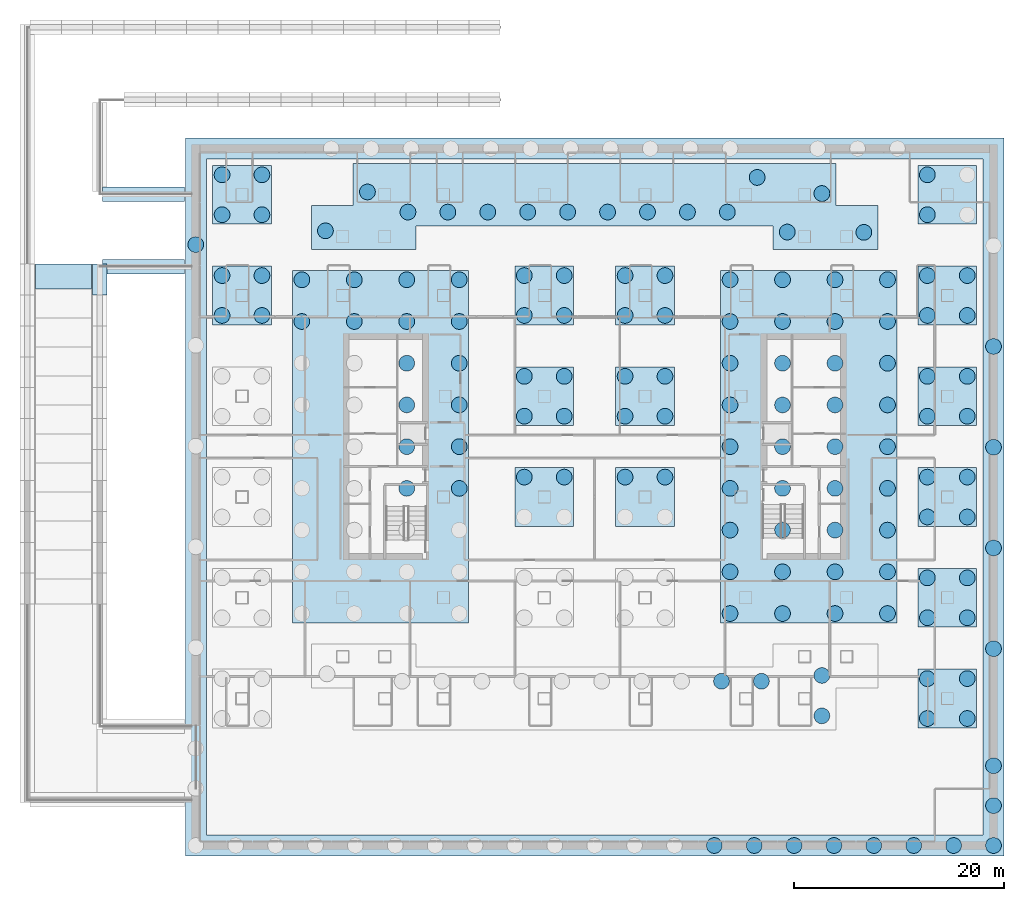
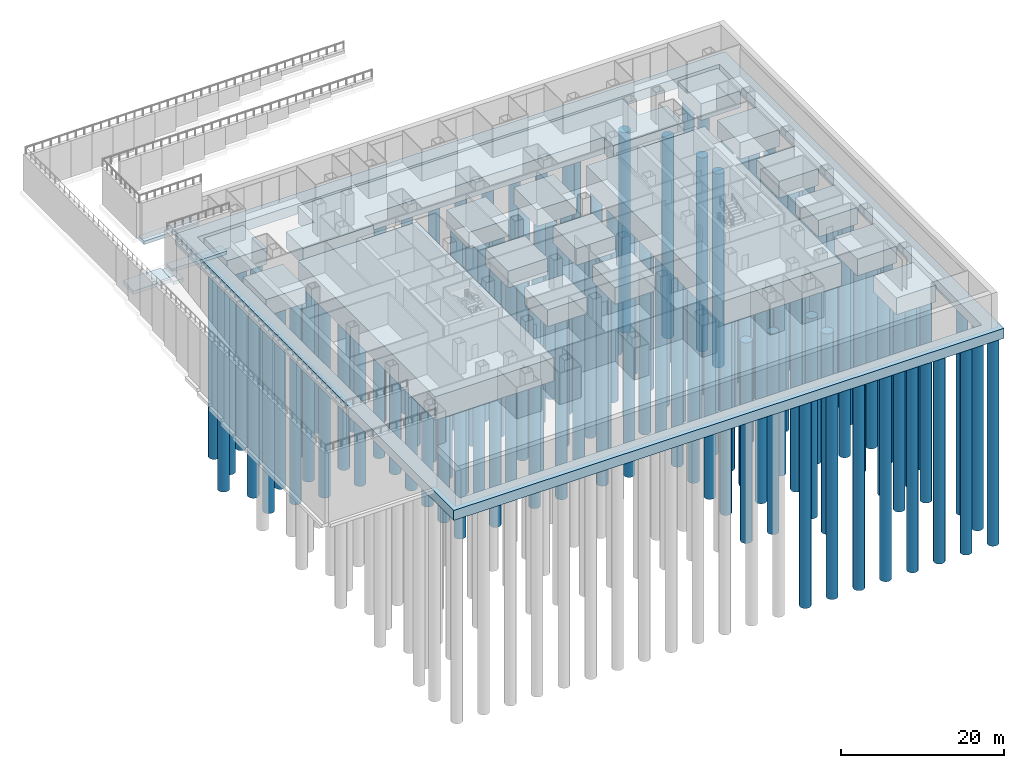
# One storey, part 2 of 17: 136 piles, 22 footings.
"""IFC4 building model written with IfcOpenShell, lengths in metres."""

from ifc_helpers import new_model, si_unit, direction, frame, origin, origin_2d, place, context, subcontext, project, spatial, polyline, circle, outline, extrude, material, material_profile, profile_set, type_object, element, save


model = new_model("IFC4")

# Units and contexts
model_context = context("Model", 3, precision=1e-05, world=origin(), true_north=direction((0.0, 1.0)))
body_context = subcontext(model_context, "Body", "Model", "MODEL_VIEW")
ifc_project = project(units=[si_unit("LENGTHUNIT", "METRE"), si_unit("AREAUNIT", "SQUARE_METRE"), si_unit("VOLUMEUNIT", "CUBIC_METRE"), si_unit("PLANEANGLEUNIT", "RADIAN"), si_unit("MASSUNIT", "GRAM", prefix="KILO")], contexts=[model_context])

# Site, building, storey
site_placement = place(None, origin())
site = spatial("IfcSite", under=ifc_project, at=site_placement, CompositionType="ELEMENT")
building_placement = place(site_placement, origin())
building = spatial("IfcBuilding", under=site, at=building_placement, Name="Cobrizo Arcos Hotel Tower", CompositionType="ELEMENT")
storey_placement = place(building_placement, frame((0.0, 0.0, -10.0)))
storey = spatial("IfcBuildingStorey", under=building, at=storey_placement, Name="B2", CompositionType="ELEMENT", Elevation=-10.0)

# Footing
ifc_material = material(Name="Concrete f'c 40 MPa", Category="concrete")
footing_type_1 = type_object("IfcFootingType", Name="Basement wall strip footing 2000 wide", PredefinedType="STRIP_FOOTING", material=ifc_material)
footing_1_placement = place(storey_placement, frame((0.0, 0.0, -2.10009765625)))
element("IfcFooting", 1, at=footing_1_placement, inside=storey, type_object=footing_type_1, Name="Basement wall strip footing WF1", PredefinedType="STRIP_FOOTING", context=body_context, shape_type="SweptSolid", body=[
    extrude(outline(polyline([(-39.0, -39.0), (-39.0, 29.39990234375), (39.0, 29.39990234375), (39.0, -39.0), (-39.0, -39.0)]), holes=[polyline([(37.0, 27.39990234375), (-37.0, 27.39990234375), (-37.0, -37.0), (37.0, -37.0), (37.0, 27.39990234375)])]), origin(), (0.0, 0.0, 1.0), 1.5),
])

# Piles
ifc_material_profile = material_profile(ifc_material, circle(Radius=0.75, at=origin_2d()), Name="BORED PILE 1500")
ifc_profile_set = profile_set([ifc_material_profile], Name="Concrete f'c 40 MPa")
pile_type = type_object("IfcPileType", Name="Bored pile 1500", PredefinedType="BORED", material=ifc_profile_set)
for number, where, z_axis, x_axis, name in (
    (2, (-27.89990234375, 11.925048828125, -3.949951171875), (0.0, 0.0, -1.0), (1.0, 0.0, 0.0), "Bored pile PL1, west core raft, row 00, no. 07"),
    (3, (-27.89990234375, 15.89990234375, -3.949951171875), (0.0, 0.0, -1.0), (1.0, 0.0, 0.0), "Bored pile PL1, west core raft, row 00, no. 08"),
    (4, (-22.89990234375, 11.925048828125, -3.949951171875), (0.0, 0.0, -1.0), (1.0, 0.0, 0.0), "Bored pile PL1, west core raft, row 01, no. 07"),
    (5, (-22.89990234375, 15.89990234375, -3.949951171875), (0.0, 0.0, -1.0), (1.0, 0.0, 0.0), "Bored pile PL1, west core raft, row 01, no. 08"),
    (6, (-17.89990234375, -3.97509765625, -3.949951171875), (0.0, 0.0, -1.0), (1.0, 0.0, 0.0), "Bored pile PL1, west core raft, row 02, no. 03"),
    (7, (-17.89990234375, 0.0, -3.949951171875), (0.0, 0.0, -1.0), (1.0, 0.0, 0.0), "Bored pile PL1, west core raft, row 02, no. 04"),
    (8, (-17.89990234375, 3.97509765625, -3.949951171875), (0.0, 0.0, -1.0), (1.0, 0.0, 0.0), "Bored pile PL1, west core raft, row 02, no. 05"),
    (9, (-17.89990234375, 7.949951171875, -3.949951171875), (0.0, 0.0, -1.0), (1.0, 0.0, 0.0), "Bored pile PL1, west core raft, row 02, no. 06"),
    (10, (-17.89990234375, 11.925048828125, -3.949951171875), (0.0, 0.0, -1.0), (1.0, 0.0, 0.0), "Bored pile PL1, west core raft, row 02, no. 07"),
    (11, (-17.89990234375, 15.89990234375, -3.949951171875), (0.0, 0.0, -1.0), (1.0, 0.0, 0.0), "Bored pile PL1, west core raft, row 02, no. 08"),
    (12, (-12.89990234375, -3.97509765625, -3.949951171875), (0.0, 0.0, -1.0), (1.0, 0.0, 0.0), "Bored pile PL1, west core raft, row 03, no. 03"),
    (13, (-12.89990234375, 0.0, -3.949951171875), (0.0, 0.0, -1.0), (1.0, 0.0, 0.0), "Bored pile PL1, west core raft, row 03, no. 04"),
    (14, (-12.89990234375, 3.97509765625, -3.949951171875), (0.0, 0.0, -1.0), (1.0, 0.0, 0.0), "Bored pile PL1, west core raft, row 03, no. 05"),
    (15, (-12.89990234375, 7.949951171875, -3.949951171875), (0.0, 0.0, -1.0), (1.0, 0.0, 0.0), "Bored pile PL1, west core raft, row 03, no. 06"),
    (16, (-12.89990234375, 11.925048828125, -3.949951171875), (0.0, 0.0, -1.0), (1.0, 0.0, 0.0), "Bored pile PL1, west core raft, row 03, no. 07"),
    (17, (-12.89990234375, 15.89990234375, -3.949951171875), (0.0, 0.0, -1.0), (1.0, 0.0, 0.0), "Bored pile PL1, west core raft, row 03, no. 08"),
    (18, (12.89990234375, -15.89990234375, -3.949951171875), (0.0, 0.0, -1.0), (1.0, 0.0, 0.0), "Bored pile PL1, east core raft, row 00, no. 00"),
    (19, (12.89990234375, -11.925048828125, -3.949951171875), (0.0, 0.0, -1.0), (1.0, 0.0, 0.0), "Bored pile PL1, east core raft, row 00, no. 01"),
    (20, (12.89990234375, -7.949951171875, -3.949951171875), (0.0, 0.0, -1.0), (1.0, 0.0, 0.0), "Bored pile PL1, east core raft, row 00, no. 02"),
    (21, (12.89990234375, -3.97509765625, -3.949951171875), (0.0, 0.0, -1.0), (1.0, 0.0, 0.0), "Bored pile PL1, east core raft, row 00, no. 03"),
    (22, (12.89990234375, 0.0, -3.949951171875), (0.0, 0.0, -1.0), (1.0, 0.0, 0.0), "Bored pile PL1, east core raft, row 00, no. 04"),
    (23, (12.89990234375, 3.97509765625, -3.949951171875), (0.0, 0.0, -1.0), (1.0, 0.0, 0.0), "Bored pile PL1, east core raft, row 00, no. 05"),
    (24, (12.89990234375, 7.949951171875, -3.949951171875), (0.0, 0.0, -1.0), (1.0, 0.0, 0.0), "Bored pile PL1, east core raft, row 00, no. 06"),
    (25, (12.89990234375, 11.925048828125, -3.949951171875), (0.0, 0.0, -1.0), (1.0, 0.0, 0.0), "Bored pile PL1, east core raft, row 00, no. 07"),
    (26, (12.89990234375, 15.89990234375, -3.949951171875), (0.0, 0.0, -1.0), (1.0, 0.0, 0.0), "Bored pile PL1, east core raft, row 00, no. 08"),
    (27, (17.89990234375, -15.89990234375, -3.949951171875), (0.0, 0.0, -1.0), (1.0, 0.0, 0.0), "Bored pile PL1, east core raft, row 01, no. 00"),
    (28, (17.89990234375, -11.925048828125, -3.949951171875), (0.0, 0.0, -1.0), (1.0, 0.0, 0.0), "Bored pile PL1, east core raft, row 01, no. 01"),
    (29, (17.89990234375, -7.949951171875, -3.949951171875), (0.0, 0.0, -1.0), (1.0, 0.0, 0.0), "Bored pile PL1, east core raft, row 01, no. 02"),
    (30, (17.89990234375, -3.97509765625, -3.949951171875), (0.0, 0.0, -1.0), (1.0, 0.0, 0.0), "Bored pile PL1, east core raft, row 01, no. 03"),
    (31, (17.89990234375, 0.0, -3.949951171875), (0.0, 0.0, -1.0), (1.0, 0.0, 0.0), "Bored pile PL1, east core raft, row 01, no. 04"),
    (32, (17.89990234375, 3.97509765625, -3.949951171875), (0.0, 0.0, -1.0), (1.0, 0.0, 0.0), "Bored pile PL1, east core raft, row 01, no. 05"),
    (33, (17.89990234375, 7.949951171875, -3.949951171875), (0.0, 0.0, -1.0), (1.0, 0.0, 0.0), "Bored pile PL1, east core raft, row 01, no. 06"),
    (34, (17.89990234375, 11.925048828125, -3.949951171875), (0.0, 0.0, -1.0), (1.0, 0.0, 0.0), "Bored pile PL1, east core raft, row 01, no. 07"),
    (35, (17.89990234375, 15.89990234375, -3.949951171875), (0.0, 0.0, -1.0), (1.0, 0.0, 0.0), "Bored pile PL1, east core raft, row 01, no. 08"),
    (36, (22.89990234375, -15.89990234375, -3.949951171875), (0.0, 0.0, -1.0), (1.0, 0.0, 0.0), "Bored pile PL1, east core raft, row 02, no. 00"),
    (37, (22.89990234375, -11.925048828125, -3.949951171875), (0.0, 0.0, -1.0), (1.0, 0.0, 0.0), "Bored pile PL1, east core raft, row 02, no. 01"),
    (38, (22.89990234375, -7.949951171875, -3.949951171875), (0.0, 0.0, -1.0), (1.0, 0.0, 0.0), "Bored pile PL1, east core raft, row 02, no. 02"),
    (39, (22.89990234375, -3.97509765625, -3.949951171875), (0.0, 0.0, -1.0), (1.0, 0.0, 0.0), "Bored pile PL1, east core raft, row 02, no. 03"),
    (40, (22.89990234375, 0.0, -3.949951171875), (0.0, 0.0, -1.0), (1.0, 0.0, 0.0), "Bored pile PL1, east core raft, row 02, no. 04"),
    (41, (22.89990234375, 3.97509765625, -3.949951171875), (0.0, 0.0, -1.0), (1.0, 0.0, 0.0), "Bored pile PL1, east core raft, row 02, no. 05"),
    (42, (22.89990234375, 7.949951171875, -3.949951171875), (0.0, 0.0, -1.0), (1.0, 0.0, 0.0), "Bored pile PL1, east core raft, row 02, no. 06"),
    (43, (22.89990234375, 11.925048828125, -3.949951171875), (0.0, 0.0, -1.0), (1.0, 0.0, 0.0), "Bored pile PL1, east core raft, row 02, no. 07"),
    (44, (22.89990234375, 15.89990234375, -3.949951171875), (0.0, 0.0, -1.0), (1.0, 0.0, 0.0), "Bored pile PL1, east core raft, row 02, no. 08"),
    (45, (27.89990234375, -15.89990234375, -3.949951171875), (0.0, 0.0, -1.0), (1.0, 0.0, 0.0), "Bored pile PL1, east core raft, row 03, no. 00"),
    (46, (27.89990234375, -11.925048828125, -3.949951171875), (0.0, 0.0, -1.0), (1.0, 0.0, 0.0), "Bored pile PL1, east core raft, row 03, no. 01"),
    (47, (27.89990234375, -7.949951171875, -3.949951171875), (0.0, 0.0, -1.0), (1.0, 0.0, 0.0), "Bored pile PL1, east core raft, row 03, no. 02"),
    (48, (27.89990234375, -3.97509765625, -3.949951171875), (0.0, 0.0, -1.0), (1.0, 0.0, 0.0), "Bored pile PL1, east core raft, row 03, no. 03"),
    (49, (27.89990234375, 0.0, -3.949951171875), (0.0, 0.0, -1.0), (1.0, 0.0, 0.0), "Bored pile PL1, east core raft, row 03, no. 04"),
    (50, (27.89990234375, 3.97509765625, -3.949951171875), (0.0, 0.0, -1.0), (1.0, 0.0, 0.0), "Bored pile PL1, east core raft, row 03, no. 05"),
    (51, (27.89990234375, 7.949951171875, -3.949951171875), (0.0, 0.0, -1.0), (1.0, 0.0, 0.0), "Bored pile PL1, east core raft, row 03, no. 06"),
    (52, (27.89990234375, 11.925048828125, -3.949951171875), (0.0, 0.0, -1.0), (1.0, 0.0, 0.0), "Bored pile PL1, east core raft, row 03, no. 07"),
    (53, (27.89990234375, 15.89990234375, -3.949951171875), (0.0, 0.0, -1.0), (1.0, 0.0, 0.0), "Bored pile PL1, east core raft, row 03, no. 08"),
):
    element("IfcPile", number, at=place(storey_placement, frame(where, z_axis=z_axis, x_axis=x_axis)), inside=storey, type_object=pile_type, Name=name, PredefinedType="BORED", context=body_context, shape_type="SweptSolid", body=[
        extrude(circle(Radius=0.75, at=origin_2d()), origin(), (0.0, 0.0, 1.0), 29.050048828125),
    ])
for number, where, z_axis, x_axis, name in (
    (54, (-35.5, 12.5, -2.949951171875), (0.0, 0.0, -1.0), (1.0, 0.0, 0.0), "Bored pile PL1, pile cap 05, no. 0"),
    (55, (-31.699951171875, 12.5, -2.949951171875), (0.0, 0.0, -1.0), (1.0, 0.0, 0.0), "Bored pile PL1, pile cap 05, no. 1"),
    (56, (-35.5, 16.300048828125, -2.949951171875), (0.0, 0.0, -1.0), (1.0, 0.0, 0.0), "Bored pile PL1, pile cap 05, no. 2"),
    (57, (-31.699951171875, 16.300048828125, -2.949951171875), (0.0, 0.0, -1.0), (1.0, 0.0, 0.0), "Bored pile PL1, pile cap 05, no. 3"),
    (58, (-35.5, 22.10009765625, -2.949951171875), (0.0, 0.0, -1.0), (1.0, 0.0, 0.0), "Bored pile PL1, pile cap 06, no. 0"),
    (59, (-31.699951171875, 22.10009765625, -2.949951171875), (0.0, 0.0, -1.0), (1.0, 0.0, 0.0), "Bored pile PL1, pile cap 06, no. 1"),
    (60, (-35.5, 25.89990234375, -2.949951171875), (0.0, 0.0, -1.0), (1.0, 0.0, 0.0), "Bored pile PL1, pile cap 06, no. 2"),
    (61, (-31.699951171875, 25.89990234375, -2.949951171875), (0.0, 0.0, -1.0), (1.0, 0.0, 0.0), "Bored pile PL1, pile cap 06, no. 3"),
    (62, (-6.699951171875, -2.89990234375, -2.949951171875), (0.0, 0.0, -1.0), (1.0, 0.0, 0.0), "Bored pile PL1, pile cap 08, no. 2"),
    (63, (-2.89990234375, -2.89990234375, -2.949951171875), (0.0, 0.0, -1.0), (1.0, 0.0, 0.0), "Bored pile PL1, pile cap 08, no. 3"),
    (64, (-6.699951171875, 2.89990234375, -2.949951171875), (0.0, 0.0, -1.0), (1.0, 0.0, 0.0), "Bored pile PL1, pile cap 09, no. 0"),
    (65, (-2.89990234375, 2.89990234375, -2.949951171875), (0.0, 0.0, -1.0), (1.0, 0.0, 0.0), "Bored pile PL1, pile cap 09, no. 1"),
    (66, (-6.699951171875, 6.699951171875, -2.949951171875), (0.0, 0.0, -1.0), (1.0, 0.0, 0.0), "Bored pile PL1, pile cap 09, no. 2"),
    (67, (-2.89990234375, 6.699951171875, -2.949951171875), (0.0, 0.0, -1.0), (1.0, 0.0, 0.0), "Bored pile PL1, pile cap 09, no. 3"),
    (68, (-6.699951171875, 12.5, -2.949951171875), (0.0, 0.0, -1.0), (1.0, 0.0, 0.0), "Bored pile PL1, pile cap 10, no. 0"),
    (69, (-2.89990234375, 12.5, -2.949951171875), (0.0, 0.0, -1.0), (1.0, 0.0, 0.0), "Bored pile PL1, pile cap 10, no. 1"),
    (70, (-6.699951171875, 16.300048828125, -2.949951171875), (0.0, 0.0, -1.0), (1.0, 0.0, 0.0), "Bored pile PL1, pile cap 10, no. 2"),
    (71, (-2.89990234375, 16.300048828125, -2.949951171875), (0.0, 0.0, -1.0), (1.0, 0.0, 0.0), "Bored pile PL1, pile cap 10, no. 3"),
    (72, (2.89990234375, -2.89990234375, -2.949951171875), (0.0, 0.0, -1.0), (1.0, 0.0, 0.0), "Bored pile PL1, pile cap 12, no. 2"),
    (73, (6.699951171875, -2.89990234375, -2.949951171875), (0.0, 0.0, -1.0), (1.0, 0.0, 0.0), "Bored pile PL1, pile cap 12, no. 3"),
    (74, (2.89990234375, 2.89990234375, -2.949951171875), (0.0, 0.0, -1.0), (1.0, 0.0, 0.0), "Bored pile PL1, pile cap 13, no. 0"),
    (75, (6.699951171875, 2.89990234375, -2.949951171875), (0.0, 0.0, -1.0), (1.0, 0.0, 0.0), "Bored pile PL1, pile cap 13, no. 1"),
    (76, (2.89990234375, 6.699951171875, -2.949951171875), (0.0, 0.0, -1.0), (1.0, 0.0, 0.0), "Bored pile PL1, pile cap 13, no. 2"),
    (77, (6.699951171875, 6.699951171875, -2.949951171875), (0.0, 0.0, -1.0), (1.0, 0.0, 0.0), "Bored pile PL1, pile cap 13, no. 3"),
    (78, (2.89990234375, 12.5, -2.949951171875), (0.0, 0.0, -1.0), (1.0, 0.0, 0.0), "Bored pile PL1, pile cap 14, no. 0"),
    (79, (6.699951171875, 12.5, -2.949951171875), (0.0, 0.0, -1.0), (1.0, 0.0, 0.0), "Bored pile PL1, pile cap 14, no. 1"),
    (80, (2.89990234375, 16.300048828125, -2.949951171875), (0.0, 0.0, -1.0), (1.0, 0.0, 0.0), "Bored pile PL1, pile cap 14, no. 2"),
    (81, (6.699951171875, 16.300048828125, -2.949951171875), (0.0, 0.0, -1.0), (1.0, 0.0, 0.0), "Bored pile PL1, pile cap 14, no. 3"),
    (82, (31.699951171875, -25.89990234375, -2.949951171875), (0.0, 0.0, -1.0), (1.0, 0.0, 0.0), "Bored pile PL1, pile cap 15, no. 0"),
    (83, (35.5, -25.89990234375, -2.949951171875), (0.0, 0.0, -1.0), (1.0, 0.0, 0.0), "Bored pile PL1, pile cap 15, no. 1"),
    (84, (31.699951171875, -22.10009765625, -2.949951171875), (0.0, 0.0, -1.0), (1.0, 0.0, 0.0), "Bored pile PL1, pile cap 15, no. 2"),
    (85, (35.5, -22.10009765625, -2.949951171875), (0.0, 0.0, -1.0), (1.0, 0.0, 0.0), "Bored pile PL1, pile cap 15, no. 3"),
    (86, (31.699951171875, -16.300048828125, -2.949951171875), (0.0, 0.0, -1.0), (1.0, 0.0, 0.0), "Bored pile PL1, pile cap 16, no. 0"),
    (87, (35.5, -16.300048828125, -2.949951171875), (0.0, 0.0, -1.0), (1.0, 0.0, 0.0), "Bored pile PL1, pile cap 16, no. 1"),
    (88, (31.699951171875, -12.5, -2.949951171875), (0.0, 0.0, -1.0), (1.0, 0.0, 0.0), "Bored pile PL1, pile cap 16, no. 2"),
    (89, (35.5, -12.5, -2.949951171875), (0.0, 0.0, -1.0), (1.0, 0.0, 0.0), "Bored pile PL1, pile cap 16, no. 3"),
    (90, (31.699951171875, -6.699951171875, -2.949951171875), (0.0, 0.0, -1.0), (1.0, 0.0, 0.0), "Bored pile PL1, pile cap 17, no. 0"),
    (91, (35.5, -6.699951171875, -2.949951171875), (0.0, 0.0, -1.0), (1.0, 0.0, 0.0), "Bored pile PL1, pile cap 17, no. 1"),
    (92, (31.699951171875, -2.89990234375, -2.949951171875), (0.0, 0.0, -1.0), (1.0, 0.0, 0.0), "Bored pile PL1, pile cap 17, no. 2"),
    (93, (35.5, -2.89990234375, -2.949951171875), (0.0, 0.0, -1.0), (1.0, 0.0, 0.0), "Bored pile PL1, pile cap 17, no. 3"),
    (94, (31.699951171875, 2.89990234375, -2.949951171875), (0.0, 0.0, -1.0), (1.0, 0.0, 0.0), "Bored pile PL1, pile cap 18, no. 0"),
    (95, (35.5, 2.89990234375, -2.949951171875), (0.0, 0.0, -1.0), (1.0, 0.0, 0.0), "Bored pile PL1, pile cap 18, no. 1"),
    (96, (31.699951171875, 6.699951171875, -2.949951171875), (0.0, 0.0, -1.0), (1.0, 0.0, 0.0), "Bored pile PL1, pile cap 18, no. 2"),
    (97, (35.5, 6.699951171875, -2.949951171875), (0.0, 0.0, -1.0), (1.0, 0.0, 0.0), "Bored pile PL1, pile cap 18, no. 3"),
    (98, (31.699951171875, 12.5, -2.949951171875), (0.0, 0.0, -1.0), (1.0, 0.0, 0.0), "Bored pile PL1, pile cap 19, no. 0"),
    (99, (35.5, 12.5, -2.949951171875), (0.0, 0.0, -1.0), (1.0, 0.0, 0.0), "Bored pile PL1, pile cap 19, no. 1"),
    (100, (31.699951171875, 16.300048828125, -2.949951171875), (0.0, 0.0, -1.0), (1.0, 0.0, 0.0), "Bored pile PL1, pile cap 19, no. 2"),
    (101, (35.5, 16.300048828125, -2.949951171875), (0.0, 0.0, -1.0), (1.0, 0.0, 0.0), "Bored pile PL1, pile cap 19, no. 3"),
    (102, (31.699951171875, 22.10009765625, -2.949951171875), (0.0, 0.0, -1.0), (1.0, 0.0, 0.0), "Bored pile PL1, pile cap 20, no. 0"),
    (103, (31.699951171875, 25.89990234375, -2.949951171875), (0.0, 0.0, -1.0), (1.0, 0.0, 0.0), "Bored pile PL1, pile cap 20, no. 2"),
    (104, (21.64990234375, -25.64990234375, -2.949951171875), (0.0, 0.0, -1.0), (1.0, 0.0, 0.0), "Bored pile PL1, strip footing 01, no. 000"),
    (105, (12.083984375, -22.35009765625, -2.949951171875), (0.0, 0.0, -1.0), (1.0, 0.0, 0.0), "Bored pile PL1, strip footing 01, no. 009"),
    (106, (15.88818359375, -22.35009765625, -2.949951171875), (0.0, 0.0, -1.0), (1.0, 0.0, 0.0), "Bored pile PL1, strip footing 01, no. 010"),
    (107, (21.64990234375, -21.798828125, -2.949951171875), (0.0, 0.0, -1.0), (1.0, 0.0, 0.0), "Bored pile PL1, strip footing 01, no. 011"),
    (108, (25.64990234375, 20.416015625, -2.949951171875), (0.0, 0.0, -1.0), (1.0, 0.0, 0.0), "Bored pile PL1, strip footing 02, no. 000"),
    (109, (18.35009765625, 20.447998046875, -2.949951171875), (0.0, 0.0, -1.0), (1.0, 0.0, 0.0), "Bored pile PL1, strip footing 02, no. 001"),
    (110, (-25.64990234375, 20.564697265625, -2.949951171875), (0.0, 0.0, -1.0), (1.0, 0.0, 0.0), "Bored pile PL1, strip footing 02, no. 002"),
    (111, (-17.790283203125, 22.35009765625, -2.949951171875), (0.0, 0.0, -1.0), (1.0, 0.0, 0.0), "Bored pile PL1, strip footing 02, no. 003"),
    (112, (-13.986083984375, 22.35009765625, -2.949951171875), (0.0, 0.0, -1.0), (1.0, 0.0, 0.0), "Bored pile PL1, strip footing 02, no. 004"),
    (113, (-10.181884765625, 22.35009765625, -2.949951171875), (0.0, 0.0, -1.0), (1.0, 0.0, 0.0), "Bored pile PL1, strip footing 02, no. 005"),
    (114, (-6.377685546875, 22.35009765625, -2.949951171875), (0.0, 0.0, -1.0), (1.0, 0.0, 0.0), "Bored pile PL1, strip footing 02, no. 006"),
    (115, (-2.573486328125, 22.35009765625, -2.949951171875), (0.0, 0.0, -1.0), (1.0, 0.0, 0.0), "Bored pile PL1, strip footing 02, no. 007"),
    (116, (1.23095703125, 22.35009765625, -2.949951171875), (0.0, 0.0, -1.0), (1.0, 0.0, 0.0), "Bored pile PL1, strip footing 02, no. 008"),
    (117, (5.03515625, 22.35009765625, -2.949951171875), (0.0, 0.0, -1.0), (1.0, 0.0, 0.0), "Bored pile PL1, strip footing 02, no. 009"),
    (118, (8.83935546875, 22.35009765625, -2.949951171875), (0.0, 0.0, -1.0), (1.0, 0.0, 0.0), "Bored pile PL1, strip footing 02, no. 010"),
    (119, (12.6435546875, 22.35009765625, -2.949951171875), (0.0, 0.0, -1.0), (1.0, 0.0, 0.0), "Bored pile PL1, strip footing 02, no. 011"),
    (120, (21.64990234375, 24.118408203125, -2.949951171875), (0.0, 0.0, -1.0), (1.0, 0.0, 0.0), "Bored pile PL1, strip footing 02, no. 012"),
    (121, (-21.64990234375, 24.26708984375, -2.949951171875), (0.0, 0.0, -1.0), (1.0, 0.0, 0.0), "Bored pile PL1, strip footing 02, no. 013"),
    (122, (15.479248046875, 25.64990234375, -2.949951171875), (0.0, 0.0, -1.0), (1.0, 0.0, 0.0), "Bored pile PL1, strip footing 02, no. 014"),
):
    element("IfcPile", number, at=place(storey_placement, frame(where, z_axis=z_axis, x_axis=x_axis)), inside=storey, type_object=pile_type, Name=name, PredefinedType="BORED", context=body_context, shape_type="SweptSolid", body=[
        extrude(circle(Radius=0.75, at=origin_2d()), origin(), (0.0, 0.0, 1.0), 30.050048828125),
    ])
for number, where, z_axis, x_axis, name in (
    (123, (11.39990234375, -38.0, -1.949951171875), (0.0, 0.0, -1.0), (1.0, 0.0, 0.0), "Bored pile PL1, basement wall strip, no. 013"),
    (124, (15.199951171875, -38.0, -1.949951171875), (0.0, 0.0, -1.0), (1.0, 0.0, 0.0), "Bored pile PL1, basement wall strip, no. 014"),
    (125, (19.0, -38.0, -1.949951171875), (0.0, 0.0, -1.0), (1.0, 0.0, 0.0), "Bored pile PL1, basement wall strip, no. 015"),
    (126, (22.800048828125, -38.0, -1.949951171875), (0.0, 0.0, -1.0), (1.0, 0.0, 0.0), "Bored pile PL1, basement wall strip, no. 016"),
    (127, (26.60009765625, -38.0, -1.949951171875), (0.0, 0.0, -1.0), (1.0, 0.0, 0.0), "Bored pile PL1, basement wall strip, no. 017"),
    (128, (30.39990234375, -38.0, -1.949951171875), (0.0, 0.0, -1.0), (1.0, 0.0, 0.0), "Bored pile PL1, basement wall strip, no. 018"),
    (129, (34.199951171875, -38.0, -1.949951171875), (0.0, 0.0, -1.0), (1.0, 0.0, 0.0), "Bored pile PL1, basement wall strip, no. 019"),
    (130, (38.0, -38.0, -1.949951171875), (0.0, 0.0, -1.0), (1.0, 0.0, 0.0), "Bored pile PL1, basement wall strip, no. 020"),
    (131, (38.0, -34.199951171875, -1.949951171875), (0.0, 0.0, -1.0), (1.0, 0.0, 0.0), "Bored pile PL1, basement wall strip, no. 021"),
    (132, (38.0, -30.39990234375, -1.949951171875), (0.0, 0.0, -1.0), (1.0, 0.0, 0.0), "Bored pile PL1, basement wall strip, no. 022"),
    (133, (38.0, -19.25, -1.949951171875), (0.0, 0.0, -1.0), (1.0, 0.0, 0.0), "Bored pile PL1, basement wall strip, no. 023"),
    (134, (38.0, -9.64990234375, -1.949951171875), (0.0, 0.0, -1.0), (1.0, 0.0, 0.0), "Bored pile PL1, basement wall strip, no. 024"),
    (135, (38.0, -0.050048828125, -1.949951171875), (0.0, 0.0, -1.0), (1.0, 0.0, 0.0), "Bored pile PL1, basement wall strip, no. 025"),
    (136, (38.0, 9.550048828125, -1.949951171875), (0.0, 0.0, -1.0), (1.0, 0.0, 0.0), "Bored pile PL1, basement wall strip, no. 026"),
    (137, (-38.0, 19.25, -1.949951171875), (0.0, 0.0, -1.0), (1.0, 0.0, 0.0), "Bored pile PL1, basement wall strip, no. 042"),
):
    element("IfcPile", number, at=place(storey_placement, frame(where, z_axis=z_axis, x_axis=x_axis)), inside=storey, type_object=pile_type, Name=name, PredefinedType="BORED", context=body_context, shape_type="SweptSolid", body=[
        extrude(circle(Radius=0.75, at=origin_2d()), origin(), (0.0, 0.0, 1.0), 31.050048828125),
    ])

# Footings
footing_type_2 = type_object("IfcFootingType", Name="Core raft 3500 deep", PredefinedType="USERDEFINED", material=ifc_material)
footing_2_placement = place(storey_placement, frame((0.0, 0.0, -4.10009765625)))
element("IfcFooting", 138, at=footing_2_placement, inside=storey, type_object=footing_type_2, Name="Core raft RF-W, west core", ObjectType="CORE RAFT", PredefinedType="USERDEFINED", context=body_context, shape_type="SweptSolid", body=[
    extrude(outline(polyline([(-12.0, -16.800048828125), (-12.0, 16.800048828125), (-28.800048828125, 16.800048828125), (-28.800048828125, -16.800048828125), (-12.0, -16.800048828125)])), origin(), (0.0, 0.0, 1.0), 3.5),
])
footing_3_placement = place(storey_placement, frame((0.0, 0.0, -4.10009765625)))
element("IfcFooting", 139, at=footing_3_placement, inside=storey, type_object=footing_type_2, Name="Core raft RF-E, east core", ObjectType="CORE RAFT", PredefinedType="USERDEFINED", context=body_context, shape_type="SweptSolid", body=[
    extrude(outline(polyline([(28.800048828125, -16.800048828125), (28.800048828125, 16.800048828125), (12.0, 16.800048828125), (12.0, -16.800048828125), (28.800048828125, -16.800048828125)])), origin(), (0.0, 0.0, 1.0), 3.5),
])
footing_type_3 = type_object("IfcFootingType", Name="Pile cap 4 piles 5600 x 5600", PredefinedType="PILE_CAP", material=ifc_material)
footing_4_placement = place(storey_placement, frame((0.0, 0.0, -3.10009765625)))
element("IfcFooting", 140, at=footing_4_placement, inside=storey, type_object=footing_type_3, Name="Pile cap PC5, no. 05", PredefinedType="PILE_CAP", context=body_context, shape_type="SweptSolid", body=[
    extrude(outline(polyline([(-30.800048828125, 11.60009765625), (-30.800048828125, 17.199951171875), (-36.39990234375, 17.199951171875), (-36.39990234375, 11.60009765625), (-30.800048828125, 11.60009765625)])), origin(), (0.0, 0.0, 1.0), 2.5),
])
footing_5_placement = place(storey_placement, frame((0.0, 0.0, -3.10009765625)))
element("IfcFooting", 141, at=footing_5_placement, inside=storey, type_object=footing_type_3, Name="Pile cap PC6, no. 06", PredefinedType="PILE_CAP", context=body_context, shape_type="SweptSolid", body=[
    extrude(outline(polyline([(-30.800048828125, 21.199951171875), (-30.800048828125, 26.800048828125), (-36.39990234375, 26.800048828125), (-36.39990234375, 21.199951171875), (-30.800048828125, 21.199951171875)])), origin(), (0.0, 0.0, 1.0), 2.5),
])
footing_6_placement = place(storey_placement, frame((0.0, 0.0, -3.10009765625)))
element("IfcFooting", 142, at=footing_6_placement, inside=storey, type_object=footing_type_3, Name="Pile cap PC8, no. 08", PredefinedType="PILE_CAP", context=body_context, shape_type="SweptSolid", body=[
    extrude(outline(polyline([(-2.0, -7.60009765625), (-2.0, -2.0), (-7.60009765625, -2.0), (-7.60009765625, -7.60009765625), (-2.0, -7.60009765625)])), origin(), (0.0, 0.0, 1.0), 2.5),
])
footing_7_placement = place(storey_placement, frame((0.0, 0.0, -3.10009765625)))
element("IfcFooting", 143, at=footing_7_placement, inside=storey, type_object=footing_type_3, Name="Pile cap PC9, no. 09", PredefinedType="PILE_CAP", context=body_context, shape_type="SweptSolid", body=[
    extrude(outline(polyline([(-2.0, 2.0), (-2.0, 7.60009765625), (-7.60009765625, 7.60009765625), (-7.60009765625, 2.0), (-2.0, 2.0)])), origin(), (0.0, 0.0, 1.0), 2.5),
])
footing_8_placement = place(storey_placement, frame((0.0, 0.0, -3.10009765625)))
element("IfcFooting", 144, at=footing_8_placement, inside=storey, type_object=footing_type_3, Name="Pile cap PC10, no. 10", PredefinedType="PILE_CAP", context=body_context, shape_type="SweptSolid", body=[
    extrude(outline(polyline([(-2.0, 11.60009765625), (-2.0, 17.199951171875), (-7.60009765625, 17.199951171875), (-7.60009765625, 11.60009765625), (-2.0, 11.60009765625)])), origin(), (0.0, 0.0, 1.0), 2.5),
])
footing_9_placement = place(storey_placement, frame((0.0, 0.0, -3.10009765625)))
element("IfcFooting", 145, at=footing_9_placement, inside=storey, type_object=footing_type_3, Name="Pile cap PC12, no. 12", PredefinedType="PILE_CAP", context=body_context, shape_type="SweptSolid", body=[
    extrude(outline(polyline([(7.60009765625, -7.60009765625), (7.60009765625, -2.0), (2.0, -2.0), (2.0, -7.60009765625), (7.60009765625, -7.60009765625)])), origin(), (0.0, 0.0, 1.0), 2.5),
])
footing_10_placement = place(storey_placement, frame((0.0, 0.0, -3.10009765625)))
element("IfcFooting", 146, at=footing_10_placement, inside=storey, type_object=footing_type_3, Name="Pile cap PC13, no. 13", PredefinedType="PILE_CAP", context=body_context, shape_type="SweptSolid", body=[
    extrude(outline(polyline([(7.60009765625, 2.0), (7.60009765625, 7.60009765625), (2.0, 7.60009765625), (2.0, 2.0), (7.60009765625, 2.0)])), origin(), (0.0, 0.0, 1.0), 2.5),
])
footing_11_placement = place(storey_placement, frame((0.0, 0.0, -3.10009765625)))
element("IfcFooting", 147, at=footing_11_placement, inside=storey, type_object=footing_type_3, Name="Pile cap PC14, no. 14", PredefinedType="PILE_CAP", context=body_context, shape_type="SweptSolid", body=[
    extrude(outline(polyline([(7.60009765625, 11.60009765625), (7.60009765625, 17.199951171875), (2.0, 17.199951171875), (2.0, 11.60009765625), (7.60009765625, 11.60009765625)])), origin(), (0.0, 0.0, 1.0), 2.5),
])
footing_12_placement = place(storey_placement, frame((0.0, 0.0, -3.10009765625)))
element("IfcFooting", 148, at=footing_12_placement, inside=storey, type_object=footing_type_3, Name="Pile cap PC15, no. 15", PredefinedType="PILE_CAP", context=body_context, shape_type="SweptSolid", body=[
    extrude(outline(polyline([(36.39990234375, -26.800048828125), (36.39990234375, -21.199951171875), (30.800048828125, -21.199951171875), (30.800048828125, -26.800048828125), (36.39990234375, -26.800048828125)])), origin(), (0.0, 0.0, 1.0), 2.5),
])
footing_13_placement = place(storey_placement, frame((0.0, 0.0, -3.10009765625)))
element("IfcFooting", 149, at=footing_13_placement, inside=storey, type_object=footing_type_3, Name="Pile cap PC16, no. 16", PredefinedType="PILE_CAP", context=body_context, shape_type="SweptSolid", body=[
    extrude(outline(polyline([(36.39990234375, -17.199951171875), (36.39990234375, -11.60009765625), (30.800048828125, -11.60009765625), (30.800048828125, -17.199951171875), (36.39990234375, -17.199951171875)])), origin(), (0.0, 0.0, 1.0), 2.5),
])
footing_14_placement = place(storey_placement, frame((0.0, 0.0, -3.10009765625)))
element("IfcFooting", 150, at=footing_14_placement, inside=storey, type_object=footing_type_3, Name="Pile cap PC17, no. 17", PredefinedType="PILE_CAP", context=body_context, shape_type="SweptSolid", body=[
    extrude(outline(polyline([(36.39990234375, -7.60009765625), (36.39990234375, -2.0), (30.800048828125, -2.0), (30.800048828125, -7.60009765625), (36.39990234375, -7.60009765625)])), origin(), (0.0, 0.0, 1.0), 2.5),
])
footing_15_placement = place(storey_placement, frame((0.0, 0.0, -3.10009765625)))
element("IfcFooting", 151, at=footing_15_placement, inside=storey, type_object=footing_type_3, Name="Pile cap PC18, no. 18", PredefinedType="PILE_CAP", context=body_context, shape_type="SweptSolid", body=[
    extrude(outline(polyline([(36.39990234375, 2.0), (36.39990234375, 7.60009765625), (30.800048828125, 7.60009765625), (30.800048828125, 2.0), (36.39990234375, 2.0)])), origin(), (0.0, 0.0, 1.0), 2.5),
])
footing_16_placement = place(storey_placement, frame((0.0, 0.0, -3.10009765625)))
element("IfcFooting", 152, at=footing_16_placement, inside=storey, type_object=footing_type_3, Name="Pile cap PC19, no. 19", PredefinedType="PILE_CAP", context=body_context, shape_type="SweptSolid", body=[
    extrude(outline(polyline([(36.39990234375, 11.60009765625), (36.39990234375, 17.199951171875), (30.800048828125, 17.199951171875), (30.800048828125, 11.60009765625), (36.39990234375, 11.60009765625)])), origin(), (0.0, 0.0, 1.0), 2.5),
])
footing_17_placement = place(storey_placement, frame((0.0, 0.0, -3.10009765625)))
element("IfcFooting", 153, at=footing_17_placement, inside=storey, type_object=footing_type_3, Name="Pile cap PC20, no. 20", PredefinedType="PILE_CAP", context=body_context, shape_type="SweptSolid", body=[
    extrude(outline(polyline([(36.39990234375, 21.199951171875), (36.39990234375, 26.800048828125), (30.800048828125, 26.800048828125), (30.800048828125, 21.199951171875), (36.39990234375, 21.199951171875)])), origin(), (0.0, 0.0, 1.0), 2.5),
])
footing_type_4 = type_object("IfcFootingType", Name="Ramp bed footing 500", PredefinedType="STRIP_FOOTING", material=ifc_material)
footing_18_placement = place(storey_placement, frame((-50.60009765625, 17.39990234375, 4.0), z_axis=(0.0, 0.0, 1.0), x_axis=(0.0, -1.0, 0.0)))
element("IfcFooting", 154, at=footing_18_placement, inside=storey, type_object=footing_type_4, Name="Ramp B bed footing 1.1", PredefinedType="STRIP_FOOTING", context=body_context, shape_type="SweptSolid", body=[
    extrude(outline(polyline([(0.0, 0.0), (2.39990234375, 0.0), (2.39990234375, 0.5), (0.0, 0.699951171875), (0.0, 0.0)])), frame((0.0, 2.64990234375, 0.0), z_axis=(0.0, -1.0, 0.0), x_axis=(1.0, 0.0, 0.0)), (0.0, 0.0, 1.0), 5.300048828125),
])
footing_type_5 = type_object("IfcFootingType", Name="Ramp wall footing 1400 x 500", PredefinedType="STRIP_FOOTING", material=ifc_material)
footing_19_placement = place(storey_placement, frame((0.0, 0.0, 3.9091796875)))
element("IfcFooting", 155, at=footing_19_placement, inside=storey, type_object=footing_type_5, Name="Ramp B wall footing east 11", PredefinedType="STRIP_FOOTING", context=body_context, shape_type="SweptSolid", body=[
    extrude(outline(polyline([(-47.85009765625, 17.39990234375), (-46.449951171875, 17.39990234375), (-46.449951171875, 14.45458984375), (-47.85009765625, 14.45458984375), (-47.85009765625, 17.39990234375)])), origin(), (0.0, 0.0, 1.0), 0.5),
])
footing_20_placement = place(storey_placement, frame((0.0, 0.0, 4.199951171875)))
element("IfcFooting", 156, at=footing_20_placement, inside=storey, type_object=footing_type_5, Name="Ramp wall footing B1 south", PredefinedType="STRIP_FOOTING", context=body_context, shape_type="SweptSolid", body=[
    extrude(outline(polyline([(-39.10009765625, 17.85009765625), (-39.10009765625, 16.449951171875), (-46.89990234375, 16.449951171875), (-46.89990234375, 17.85009765625), (-39.10009765625, 17.85009765625)])), origin(), (0.0, 0.0, 1.0), 0.5),
])
footing_21_placement = place(storey_placement, frame((0.0, 0.0, 4.199951171875)))
element("IfcFooting", 157, at=footing_21_placement, inside=storey, type_object=footing_type_5, Name="Ramp wall footing B1 north", PredefinedType="STRIP_FOOTING", context=body_context, shape_type="SweptSolid", body=[
    extrude(outline(polyline([(-39.10009765625, 24.75), (-39.10009765625, 23.35009765625), (-46.89990234375, 23.35009765625), (-46.89990234375, 24.75), (-39.10009765625, 24.75)])), origin(), (0.0, 0.0, 1.0), 0.5),
])
footing_type_6 = type_object("IfcFootingType", Name="Tower strip footing 6000 wide", PredefinedType="STRIP_FOOTING", material=ifc_material)
footing_22_placement = place(storey_placement, frame((0.0, 0.0, -3.10009765625)))
element("IfcFooting", 158, at=footing_22_placement, inside=storey, type_object=footing_type_6, Name="Tower strip footing SF2, no. 02", PredefinedType="STRIP_FOOTING", context=body_context, shape_type="SweptSolid", body=[
    extrude(outline(polyline([(-27.0, 23.0), (-23.0, 23.0), (-23.0, 27.0), (23.0, 27.0), (23.0, 23.0), (27.0, 23.0), (27.0, 18.800048828125), (17.0, 18.800048828125), (17.0, 21.0), (-17.0, 21.0), (-17.0, 18.800048828125), (-27.0, 18.800048828125), (-27.0, 23.0)])), origin(), (0.0, 0.0, 1.0), 2.5),
])

save(model, "model.ifc")
